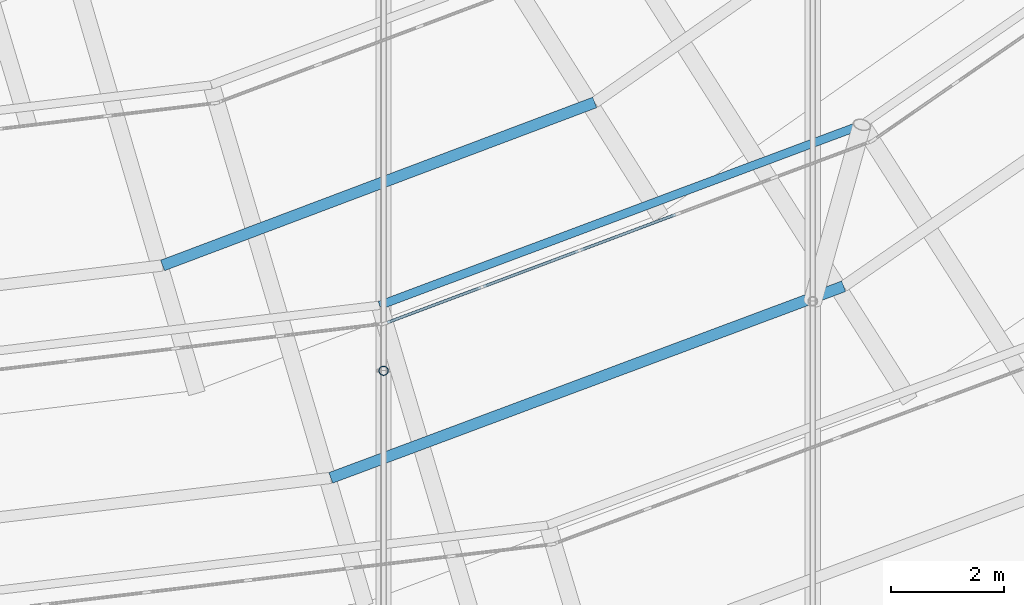
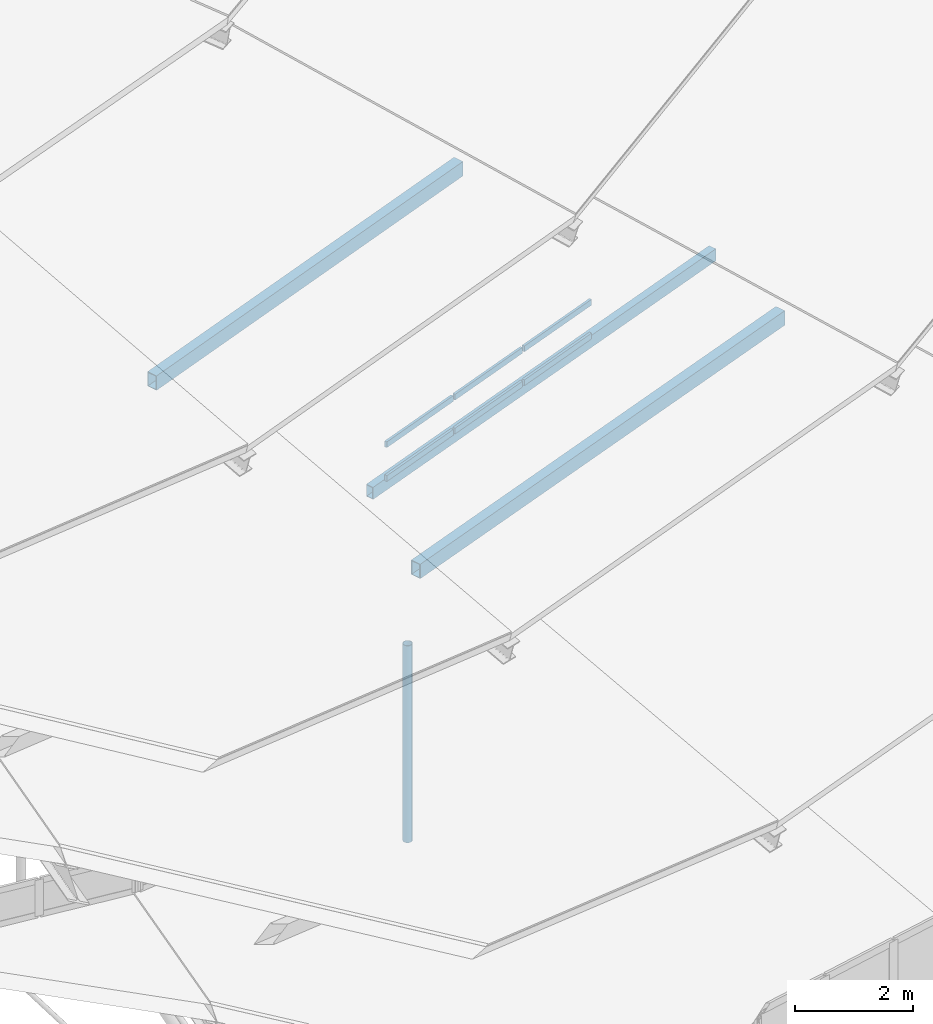
# One storey, part 16 of 173: 10 members, 1 element without a shape of its own.
"""IFC4 building model written with IfcOpenShell, lengths in metres."""

from ifc_helpers import new_model, si_unit, direction, frame, origin, origin_2d, place, context, subcontext, project, spatial, rectangle, hollow_rectangle, hollow_circle, extrude, material, material_profile, profile_set, type_object, element, aggregate, save


model = new_model("IFC4")

# Units and contexts
model_context = context("Model", 3, precision=1e-05, world=origin(), true_north=direction((0.0, 1.0)))
body_context = subcontext(model_context, "Body", "Model", "MODEL_VIEW")
ifc_project = project(units=[si_unit("LENGTHUNIT", "METRE"), si_unit("AREAUNIT", "SQUARE_METRE"), si_unit("VOLUMEUNIT", "CUBIC_METRE"), si_unit("PLANEANGLEUNIT", "RADIAN"), si_unit("MASSUNIT", "GRAM", prefix="KILO")], contexts=[model_context])

# Site, building, storey
site_placement = place(None, origin())
site = spatial("IfcSite", under=ifc_project, at=site_placement, CompositionType="ELEMENT")
building_placement = place(site_placement, origin())
building = spatial("IfcBuilding", under=site, at=building_placement, Name="Glasvene Arena", CompositionType="ELEMENT")
storey_placement = place(building_placement, frame((0.0, 0.0, 28.800048828125)))
storey = spatial("IfcBuildingStorey", under=building, at=storey_placement, Name="RF", CompositionType="ELEMENT", Elevation=28.800048828125)

# Curtain wall, members
ifc_material_1 = material(Name="Low-emissivity laminated double glazing", Category="glass")
curtain_wall_type = type_object("IfcCurtainWallType", Name="CW-PET2-925x75", PredefinedType="USERDEFINED", material=ifc_material_1)
curtain_wall_placement = place(storey_placement, frame((99.841552734375, 40.505615234375, 0.0)))
curtain_wall = element("IfcCurtainWall", 1, at=curtain_wall_placement, inside=storey, type_object=curtain_wall_type, Name="Petal ring 2-3 clerestory curtain wall 20", ObjectType="CURTAIN WALL", PredefinedType="USERDEFINED")
ifc_material_2 = material(Name="Anodised architectural aluminium", Category="aluminium")
ifc_material_profile_1 = material_profile(ifc_material_2, rectangle(XDim=0.050048828125, YDim=0.1201171875, at=origin_2d()), Name="ALU TRANSOM 50x120")
ifc_profile_set_1 = profile_set([ifc_material_profile_1], Name="Anodised architectural aluminium")
member_type_1 = type_object("IfcMemberType", Name="CW-TRN-120", PredefinedType="USERDEFINED", material=ifc_profile_set_1)
member_1_placement = place(storey_placement, frame((99.888427734375, 40.523193359375, 5.204833984375), z_axis=(0.936504385007, 0.350655866715, 0.0), x_axis=(-0.350655866715, 0.936504385007, 0.0)))
member_1 = element("IfcMember", 2, at=member_1_placement, type_object=member_type_1, Name="CW-091 transom 1.1", ObjectType="TRANSOM", PredefinedType="USERDEFINED", context=body_context, shape_type="SweptSolid", body=[
    extrude(rectangle(XDim=0.050048828125, YDim=0.1201171875, at=origin_2d()), origin(), (0.0, 0.0, 1.0), 1.77392578125),
])
member_2_placement = place(storey_placement, frame((99.888427734375, 40.523193359375, 5.905029296875), z_axis=(0.936504385007, 0.350655866715, 0.0), x_axis=(-0.350655866715, 0.936504385007, 0.0)))
member_2 = element("IfcMember", 3, at=member_2_placement, type_object=member_type_1, Name="CW-091 transom 1.2", ObjectType="TRANSOM", PredefinedType="USERDEFINED", context=body_context, shape_type="SweptSolid", body=[
    extrude(rectangle(XDim=0.050048828125, YDim=0.1201171875, at=origin_2d()), origin(), (0.0, 0.0, 1.0), 1.77392578125),
])
member_3_placement = place(storey_placement, frame((101.5966796875, 41.162841796875, 5.204833984375), z_axis=(0.936501948844, 0.350662372962, 0.0), x_axis=(-0.350662372962, 0.936501948844, 0.0)))
member_3 = element("IfcMember", 4, at=member_3_placement, type_object=member_type_1, Name="CW-091 transom 2.1", ObjectType="TRANSOM", PredefinedType="USERDEFINED", context=body_context, shape_type="SweptSolid", body=[
    extrude(rectangle(XDim=0.050048828125, YDim=0.1201171875, at=origin_2d()), origin(), (0.0, 0.0, 1.0), 1.799072265625),
])
member_4_placement = place(storey_placement, frame((101.5966796875, 41.162841796875, 5.905029296875), z_axis=(0.936501948844, 0.350662372962, 0.0), x_axis=(-0.350662372962, 0.936501948844, 0.0)))
member_4 = element("IfcMember", 5, at=member_4_placement, type_object=member_type_1, Name="CW-091 transom 2.2", ObjectType="TRANSOM", PredefinedType="USERDEFINED", context=body_context, shape_type="SweptSolid", body=[
    extrude(rectangle(XDim=0.050048828125, YDim=0.1201171875, at=origin_2d()), origin(), (0.0, 0.0, 1.0), 1.799072265625),
])
member_5_placement = place(storey_placement, frame((103.328369140625, 41.811279296875, 5.204833984375), z_axis=(0.936546508462, 0.350543346089, 0.0), x_axis=(-0.350543346089, 0.936546508462, 0.0)))
member_5 = element("IfcMember", 6, at=member_5_placement, type_object=member_type_1, Name="CW-091 transom 3.1", ObjectType="TRANSOM", PredefinedType="USERDEFINED", context=body_context, shape_type="SweptSolid", body=[
    extrude(rectangle(XDim=0.050048828125, YDim=0.1201171875, at=origin_2d()), origin(), (0.0, 0.0, 1.0), 1.799072265625),
])
member_6_placement = place(storey_placement, frame((103.328369140625, 41.811279296875, 5.905029296875), z_axis=(0.936546508462, 0.350543346089, 0.0), x_axis=(-0.350543346089, 0.936546508462, 0.0)))
member_6 = element("IfcMember", 7, at=member_6_placement, type_object=member_type_1, Name="CW-091 transom 3.2", ObjectType="TRANSOM", PredefinedType="USERDEFINED", context=body_context, shape_type="SweptSolid", body=[
    extrude(rectangle(XDim=0.050048828125, YDim=0.1201171875, at=origin_2d()), origin(), (0.0, 0.0, 1.0), 1.799072265625),
])
aggregate(curtain_wall, [member_1, member_2, member_3, member_4, member_5, member_6])

# Members
ifc_material_3 = material(Name="Steel S355J2", Category="steel")
ifc_material_profile_2 = material_profile(ifc_material_3, hollow_rectangle(XDim=0.14990234375, YDim=0.25, WallThickness=0.010009765625, at=origin_2d()), Name="RHS 250x150x10.0")
ifc_profile_set_2 = profile_set([ifc_material_profile_2], Name="Steel S355J2")
member_type_2 = type_object("IfcMemberType", Name="MB-PURLIN-RHS250", PredefinedType="PURLIN", material=ifc_profile_set_2)
member_7_placement = place(storey_placement, frame((99.7509765625, 40.82958984375, 4.781982421875), z_axis=(0.936579916907, 0.350454075802, 0.0), x_axis=(-0.350454075802, 0.936579916907, 0.0)))
element("IfcMember", 8, at=member_7_placement, inside=storey, type_object=member_type_2, Name="Petal ring 2 ridge purlin 20", PredefinedType="PURLIN", context=body_context, shape_type="SweptSolid", body=[
    extrude(hollow_rectangle(XDim=0.14990234375, YDim=0.25, WallThickness=0.010009765625, at=origin_2d()), origin(), (0.0, 0.0, 1.0), 9.154541015625),
])
ifc_material_profile_3 = material_profile(ifc_material_3, hollow_rectangle(XDim=0.199951171875, YDim=0.300048828125, WallThickness=0.012451171875, at=origin_2d()), Name="RHS 300x200x12.5")
ifc_profile_set_3 = profile_set([ifc_material_profile_3], Name="Steel S355J2")
member_type_3 = type_object("IfcMemberType", Name="MB-PURLIN-RHS300", PredefinedType="PURLIN", material=ifc_profile_set_3)
member_8_placement = place(storey_placement, frame((98.88330078125, 37.761962890625, 5.33935546875), z_axis=(0.936742951678, 0.350018060221, 0.0), x_axis=(-0.350018060221, 0.936742951678, 0.0)))
element("IfcMember", 9, at=member_8_placement, inside=storey, type_object=member_type_3, Name="Petal ring 3 outer purlin 20", PredefinedType="PURLIN", context=body_context, shape_type="SweptSolid", body=[
    extrude(hollow_rectangle(XDim=0.199951171875, YDim=0.300048828125, WallThickness=0.012451171875, at=origin_2d()), origin(), (0.0, 0.0, 1.0), 9.732421875),
])
member_9_placement = place(storey_placement, frame((95.893310546875, 41.5380859375, 8.00048828125), z_axis=(0.935662681365, 0.352895659794, 0.0), x_axis=(-0.352895659794, 0.935662681365, 0.0)))
element("IfcMember", 10, at=member_9_placement, inside=storey, type_object=member_type_3, Name="Petal ring 4 outer purlin 20", PredefinedType="PURLIN", context=body_context, shape_type="SweptSolid", body=[
    extrude(hollow_rectangle(XDim=0.199951171875, YDim=0.300048828125, WallThickness=0.012451171875, at=origin_2d()), origin(), (0.0, 0.0, 1.0), 8.2099609375),
])
ifc_material_profile_4 = material_profile(ifc_material_3, hollow_circle(Radius=0.084228515625, WallThickness=0.008056640625, at=origin_2d()), Name="CHS 168.3x8.0")
ifc_profile_set_4 = profile_set([ifc_material_profile_4], Name="Steel S355J2")
member_type_4 = type_object("IfcMemberType", Name="MB-WEB-CHS168", PredefinedType="BRACE", material=ifc_profile_set_4)
member_10_placement = place(storey_placement, frame((99.82177734375, 39.66552734375, -1.753173828125), z_axis=(0.0, 0.0, 1.0), x_axis=(1.0, 0.0, 0.0)))
element("IfcMember", 11, at=member_10_placement, inside=storey, type_object=member_type_4, Name="Cable-truss vertical strut NS04-01", PredefinedType="BRACE", context=body_context, shape_type="SweptSolid", body=[
    extrude(hollow_circle(Radius=0.084228515625, WallThickness=0.008056640625, at=origin_2d()), origin(), (0.0, 0.0, 1.0), 4.08203125),
])

save(model, "model.ifc")
